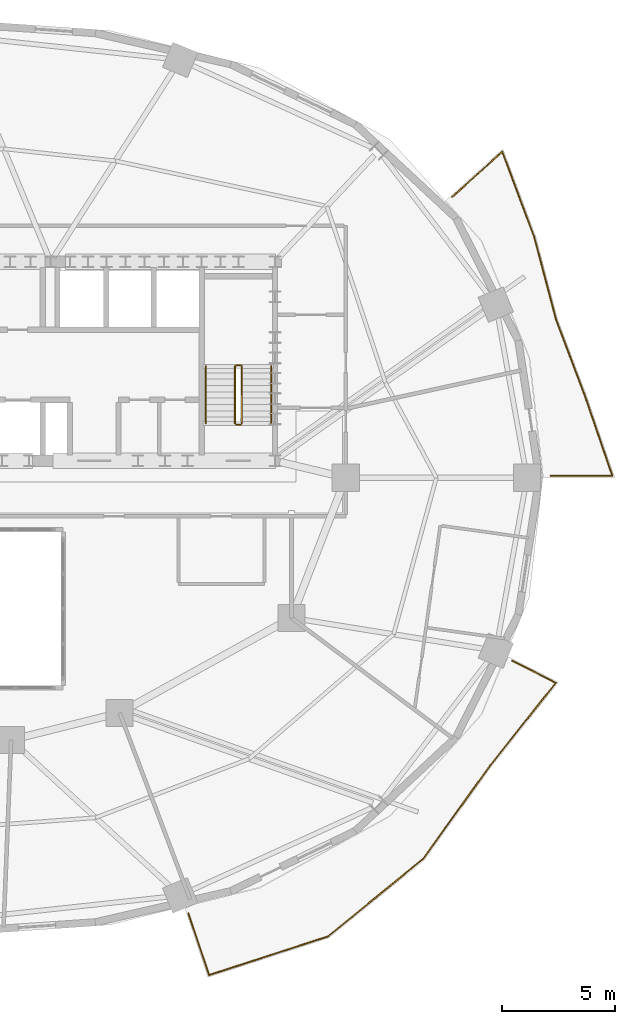
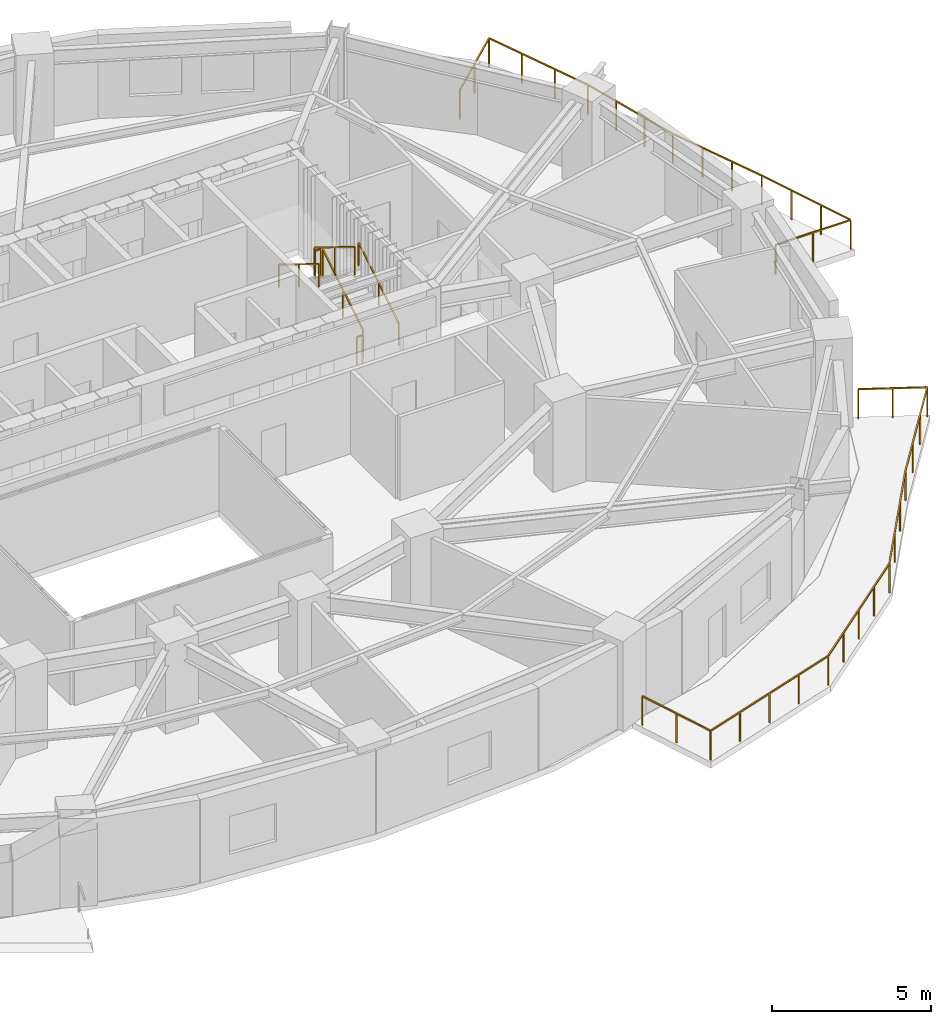
# One storey, part 12 of 12: 8 railings.
"""IFC4 building model written with IfcOpenShell, lengths in metres."""

from ifc_helpers import new_model, si_unit, direction, frame, origin, origin_2d, place, context, subcontext, project, spatial, rectangle, extrude, material, type_object, element, save


model = new_model("IFC4")

# Units and contexts
model_context = context("Model", 3, precision=1e-05, world=origin(), true_north=direction((0.0, 1.0)))
body_context = subcontext(model_context, "Body", "Model", "MODEL_VIEW")
ifc_project = project(units=[si_unit("LENGTHUNIT", "METRE"), si_unit("AREAUNIT", "SQUARE_METRE"), si_unit("VOLUMEUNIT", "CUBIC_METRE"), si_unit("PLANEANGLEUNIT", "RADIAN"), si_unit("MASSUNIT", "GRAM", prefix="KILO")], contexts=[model_context])

# Site, building, storey
site_placement = place(None, origin())
site = spatial("IfcSite", under=ifc_project, at=site_placement, CompositionType="ELEMENT")
building_placement = place(site_placement, origin())
building = spatial("IfcBuilding", under=site, at=building_placement, Name="Haldorwick Loom Tower", CompositionType="ELEMENT")
storey_placement = place(building_placement, frame((0.0, 0.0, 157.89990234375)))
storey = spatial("IfcBuildingStorey", under=building, at=storey_placement, Name="L42", CompositionType="ELEMENT", Elevation=157.89990234375)

# Railings
ifc_material_1 = material(Name="Galvanized Steel CSA G40.21 350W", Category="steel")
railing_type_1 = type_object("IfcRailingType", Name="ARC-RLG-BAL115", PredefinedType="BALUSTRADE", material=ifc_material_1)
railing_1_placement = place(storey_placement, frame((60.55322265625, 17.914306640625, 0.0)))
element("IfcRailing", 1, at=railing_1_placement, inside=storey, type_object=railing_type_1, Name="L42 Outdoor Terrace Guardrail SLB-L42-BAL_SE-1", PredefinedType="BALUSTRADE", context=body_context, shape_type="SweptSolid", body=[
    extrude(rectangle(XDim=0.048095703125, YDim=0.048095703125, at=origin_2d()), frame((0.0, 0.0, 1.1259765625), z_axis=(0.890002219109, -0.45595619305, 0.0), x_axis=(0.45595619305, 0.890002219109, 0.0)), (0.0, 0.0, 1.0), 2.1728515625),
    extrude(rectangle(XDim=0.048095703125, YDim=0.048095703125, at=origin_2d()), frame((1.933837890625, -0.99072265625, 1.1259765625), z_axis=(-0.621986182745, -0.783028216908, 0.0), x_axis=(0.783028216908, -0.621986182745, 0.0)), (0.0, 0.0, 1.0), 4.65576171875),
    extrude(rectangle(XDim=0.048095703125, YDim=0.048095703125, at=origin_2d()), frame((-0.9619140625, -4.63623046875, 1.1259765625), z_axis=(-0.60971076085, -0.792623989105, 0.0), x_axis=(0.792623989105, -0.60971076085, 0.0)), (0.0, 0.0, 1.0), 0.00390625),
    extrude(rectangle(XDim=0.048095703125, YDim=0.048095703125, at=origin_2d()), frame((-0.96435546875, -4.639404296875, 1.1259765625), z_axis=(-0.583373132525, -0.812204277413, 0.0), x_axis=(0.812204277413, -0.583373132525, 0.0)), (0.0, 0.0, 1.0), 5.090087890625),
    extrude(rectangle(XDim=0.048095703125, YDim=0.048095703125, at=origin_2d()), frame((-3.933837890625, -8.773681640625, 1.1259765625), z_axis=(-0.774794820107, -0.632212770145, 0.0), x_axis=(0.632212770145, -0.774794820107, 0.0)), (0.0, 0.0, 1.0), 5.424560546875),
    extrude(rectangle(XDim=0.048095703125, YDim=0.048095703125, at=origin_2d()), frame((-8.13671875, -12.203125, 1.1259765625), z_axis=(-0.951073621426, -0.308964345236, 0.0), x_axis=(0.308964345236, -0.951073621426, 0.0)), (0.0, 0.0, 1.0), 5.532958984375),
    extrude(rectangle(XDim=0.048095703125, YDim=0.048095703125, at=origin_2d()), frame((-13.39892578125, -13.91259765625, 1.1259765625), z_axis=(-0.316839129374, 0.948479291338, 0.0), x_axis=(-0.948479291338, -0.316839129374, 0.0)), (0.0, 0.0, 1.0), 2.875),
    extrude(rectangle(XDim=0.0419921875, YDim=0.0419921875, at=origin_2d()), origin(), (0.0, 0.0, 1.0), 1.101806640625),
    extrude(rectangle(XDim=0.0419921875, YDim=0.0419921875, at=origin_2d()), frame((0.966796875, -0.495361328125, 0.0)), (0.0, 0.0, 1.0), 1.101806640625),
    extrude(rectangle(XDim=0.0419921875, YDim=0.0419921875, at=origin_2d()), frame((1.933837890625, -0.99072265625, 0.0)), (0.0, 0.0, 1.0), 1.101806640625),
    extrude(rectangle(XDim=0.0419921875, YDim=0.0419921875, at=origin_2d()), frame((0.968505859375, -2.205810546875, 0.0)), (0.0, 0.0, 1.0), 1.101806640625),
    extrude(rectangle(XDim=0.0419921875, YDim=0.0419921875, at=origin_2d()), frame((0.00341796875, -3.421142578125, 0.0)), (0.0, 0.0, 1.0), 1.101806640625),
    extrude(rectangle(XDim=0.0419921875, YDim=0.0419921875, at=origin_2d()), frame((-0.9619140625, -4.63623046875, 0.0)), (0.0, 0.0, 1.0), 1.101806640625),
    extrude(rectangle(XDim=0.0419921875, YDim=0.0419921875, at=origin_2d()), frame((-1.9541015625, -6.017578125, 0.0)), (0.0, 0.0, 1.0), 1.101806640625),
    extrude(rectangle(XDim=0.0419921875, YDim=0.0419921875, at=origin_2d()), frame((-2.944091796875, -7.3955078125, 0.0)), (0.0, 0.0, 1.0), 1.101806640625),
    extrude(rectangle(XDim=0.0419921875, YDim=0.0419921875, at=origin_2d()), frame((-3.933837890625, -8.773681640625, 0.0)), (0.0, 0.0, 1.0), 1.101806640625),
    extrude(rectangle(XDim=0.0419921875, YDim=0.0419921875, at=origin_2d()), frame((-4.984619140625, -9.631103515625, 0.0)), (0.0, 0.0, 1.0), 1.101806640625),
    extrude(rectangle(XDim=0.0419921875, YDim=0.0419921875, at=origin_2d()), frame((-6.03515625, -10.48828125, 0.0)), (0.0, 0.0, 1.0), 1.101806640625),
    extrude(rectangle(XDim=0.0419921875, YDim=0.0419921875, at=origin_2d()), frame((-7.0859375, -11.345703125, 0.0)), (0.0, 0.0, 1.0), 1.101806640625),
    extrude(rectangle(XDim=0.0419921875, YDim=0.0419921875, at=origin_2d()), frame((-8.13671875, -12.203125, 0.0)), (0.0, 0.0, 1.0), 1.101806640625),
    extrude(rectangle(XDim=0.0419921875, YDim=0.0419921875, at=origin_2d()), frame((-9.4521484375, -12.63037109375, 0.0)), (0.0, 0.0, 1.0), 1.101806640625),
    extrude(rectangle(XDim=0.0419921875, YDim=0.0419921875, at=origin_2d()), frame((-10.767822265625, -13.057861328125, 0.0)), (0.0, 0.0, 1.0), 1.101806640625),
    extrude(rectangle(XDim=0.0419921875, YDim=0.0419921875, at=origin_2d()), frame((-12.08349609375, -13.4853515625, 0.0)), (0.0, 0.0, 1.0), 1.101806640625),
    extrude(rectangle(XDim=0.0419921875, YDim=0.0419921875, at=origin_2d()), frame((-13.39892578125, -13.91259765625, 0.0)), (0.0, 0.0, 1.0), 1.101806640625),
    extrude(rectangle(XDim=0.0419921875, YDim=0.0419921875, at=origin_2d()), frame((-13.8544921875, -12.54931640625, 0.0)), (0.0, 0.0, 1.0), 1.101806640625),
    extrude(rectangle(XDim=0.0419921875, YDim=0.0419921875, at=origin_2d()), frame((-14.309814453125, -11.185791015625, 0.0)), (0.0, 0.0, 1.0), 1.101806640625),
])
railing_2_placement = place(storey_placement, frame((57.91162109375, 38.41845703125, 0.0)))
element("IfcRailing", 2, at=railing_2_placement, inside=storey, type_object=railing_type_1, Name="L42 Outdoor Terrace Guardrail SLB-L42-BAL_ENE-1", PredefinedType="BALUSTRADE", context=body_context, shape_type="SweptSolid", body=[
    extrude(rectangle(XDim=0.048095703125, YDim=0.048095703125, at=origin_2d()), frame((0.0, 0.0, 1.1259765625), z_axis=(0.741694932885, 0.670737375232, 0.0), x_axis=(-0.670737375232, 0.741694932885, 0.0)), (0.0, 0.0, 1.0), 2.9794921875),
    extrude(rectangle(XDim=0.048095703125, YDim=0.048095703125, at=origin_2d()), frame((2.2099609375, 1.99853515625, 1.1259765625), z_axis=(0.350917888404, -0.93640623428, 0.0), x_axis=(0.93640623428, 0.350917888404, 0.0)), (0.0, 0.0, 1.0), 4.03515625),
    extrude(rectangle(XDim=0.048095703125, YDim=0.048095703125, at=origin_2d()), frame((3.6259765625, -1.780029296875, 1.1259765625), z_axis=(0.255651532223, -0.966768997265, 0.0), x_axis=(0.966768997265, 0.255651532223, 0.0)), (0.0, 0.0, 1.0), 3.786376953125),
    extrude(rectangle(XDim=0.048095703125, YDim=0.048095703125, at=origin_2d()), frame((4.593994140625, -5.440673828125, 1.1259765625), z_axis=(0.307002779923, -0.951708617761, 0.0), x_axis=(0.951708617761, 0.307002779923, 0.0)), (0.0, 0.0, 1.0), 0.008056640625),
    extrude(rectangle(XDim=0.048095703125, YDim=0.048095703125, at=origin_2d()), frame((4.596435546875, -5.4482421875, 1.1259765625), z_axis=(0.354053402924, -0.935225207037, 0.0), x_axis=(0.935225207037, 0.354053402924, 0.0)), (0.0, 0.0, 1.0), 3.614013671875),
    extrude(rectangle(XDim=0.048095703125, YDim=0.048095703125, at=origin_2d()), frame((5.8759765625, -8.828125, 1.1259765625), z_axis=(0.324877543995, -0.945756089807, 0.0), x_axis=(0.945756089807, 0.324877543995, 0.0)), (0.0, 0.0, 1.0), 3.711669921875),
    extrude(rectangle(XDim=0.048095703125, YDim=0.048095703125, at=origin_2d()), frame((7.081787109375, -12.33837890625, 1.1259765625), z_axis=(-1.0, 0.0, 0.0), x_axis=(0.0, -1.0, 0.0)), (0.0, 0.0, 1.0), 2.733154296875),
    extrude(rectangle(XDim=0.0419921875, YDim=0.0419921875, at=origin_2d()), origin(), (0.0, 0.0, 1.0), 1.101806640625),
    extrude(rectangle(XDim=0.0419921875, YDim=0.0419921875, at=origin_2d()), frame((1.10498046875, 0.999267578125, 0.0)), (0.0, 0.0, 1.0), 1.101806640625),
    extrude(rectangle(XDim=0.0419921875, YDim=0.0419921875, at=origin_2d()), frame((2.2099609375, 1.99853515625, 0.0)), (0.0, 0.0, 1.0), 1.101806640625),
    extrude(rectangle(XDim=0.0419921875, YDim=0.0419921875, at=origin_2d()), frame((2.681884765625, 0.739013671875, 0.0)), (0.0, 0.0, 1.0), 1.101806640625),
    extrude(rectangle(XDim=0.0419921875, YDim=0.0419921875, at=origin_2d()), frame((3.154052734375, -0.5205078125, 0.0)), (0.0, 0.0, 1.0), 1.101806640625),
    extrude(rectangle(XDim=0.0419921875, YDim=0.0419921875, at=origin_2d()), frame((3.6259765625, -1.780029296875, 0.0)), (0.0, 0.0, 1.0), 1.101806640625),
    extrude(rectangle(XDim=0.0419921875, YDim=0.0419921875, at=origin_2d()), frame((3.94873046875, -3.000244140625, 0.0)), (0.0, 0.0, 1.0), 1.101806640625),
    extrude(rectangle(XDim=0.0419921875, YDim=0.0419921875, at=origin_2d()), frame((4.271240234375, -4.220458984375, 0.0)), (0.0, 0.0, 1.0), 1.101806640625),
    extrude(rectangle(XDim=0.0419921875, YDim=0.0419921875, at=origin_2d()), frame((4.593994140625, -5.440673828125, 0.0)), (0.0, 0.0, 1.0), 1.101806640625),
    extrude(rectangle(XDim=0.0419921875, YDim=0.0419921875, at=origin_2d()), frame((5.02294921875, -6.574951171875, 0.0)), (0.0, 0.0, 1.0), 1.101806640625),
    extrude(rectangle(XDim=0.0419921875, YDim=0.0419921875, at=origin_2d()), frame((5.449462890625, -7.701416015625, 0.0)), (0.0, 0.0, 1.0), 1.101806640625),
    extrude(rectangle(XDim=0.0419921875, YDim=0.0419921875, at=origin_2d()), frame((5.8759765625, -8.828125, 0.0)), (0.0, 0.0, 1.0), 1.101806640625),
    extrude(rectangle(XDim=0.0419921875, YDim=0.0419921875, at=origin_2d()), frame((6.27783203125, -9.998291015625, 0.0)), (0.0, 0.0, 1.0), 1.101806640625),
    extrude(rectangle(XDim=0.0419921875, YDim=0.0419921875, at=origin_2d()), frame((6.679931640625, -11.168212890625, 0.0)), (0.0, 0.0, 1.0), 1.101806640625),
    extrude(rectangle(XDim=0.0419921875, YDim=0.0419921875, at=origin_2d()), frame((7.081787109375, -12.33837890625, 0.0)), (0.0, 0.0, 1.0), 1.101806640625),
    extrude(rectangle(XDim=0.0419921875, YDim=0.0419921875, at=origin_2d()), frame((5.71533203125, -12.33837890625, 0.0)), (0.0, 0.0, 1.0), 1.101806640625),
    extrude(rectangle(XDim=0.0419921875, YDim=0.0419921875, at=origin_2d()), frame((4.3486328125, -12.33837890625, 0.0)), (0.0, 0.0, 1.0), 1.101806640625),
])
ifc_material_2 = material(Name="Steel CSA G40.21 350W", Category="steel")
railing_type_2 = type_object("IfcRailingType", Name="ARC-RLG-GUARD112", PredefinedType="GUARDRAIL", material=ifc_material_2)
railing_3_placement = place(storey_placement, frame((48.60009765625, 28.39990234375, 0.172607421875)))
element("IfcRailing", 3, at=railing_3_placement, inside=storey, type_object=railing_type_2, Name="L42 ST-02 stair guard 1", PredefinedType="GUARDRAIL", context=body_context, shape_type="SweptSolid", body=[
    extrude(rectangle(XDim=0.048095703125, YDim=0.048095703125, at=origin_2d()), frame((0.0, 0.0, 1.076171875), z_axis=(0.0, 0.851400495292, 0.524516154772), x_axis=(-1.0, 0.0, 0.0)), (0.0, 0.0, 1.0), 2.9599609375),
    extrude(rectangle(XDim=0.0419921875, YDim=0.0419921875, at=origin_2d()), origin(), (0.0, 0.0, 1.0), 1.052001953125),
    extrude(rectangle(XDim=0.0419921875, YDim=0.0419921875, at=origin_2d()), frame((0.0, 1.260009765625, 0.7763671875)), (0.0, 0.0, 1.0), 1.052001953125),
    extrude(rectangle(XDim=0.0419921875, YDim=0.0419921875, at=origin_2d()), frame((0.0, 2.52001953125, 1.552490234375)), (0.0, 0.0, 1.0), 1.052001953125),
])
railing_4_placement = place(storey_placement, frame((48.550048828125, 30.969970703125, 1.72509765625)))
element("IfcRailing", 4, at=railing_4_placement, inside=storey, type_object=railing_type_2, Name="L42 ST-02 stair guard 2", PredefinedType="GUARDRAIL", context=body_context, shape_type="SweptSolid", body=[
    extrude(rectangle(XDim=0.048095703125, YDim=0.048095703125, at=origin_2d()), frame((0.0, 0.0, 1.076171875), z_axis=(-1.0, 0.0, 0.0), x_axis=(0.0, -1.0, 0.0)), (0.0, 0.0, 1.0), 0.199951171875),
    extrude(rectangle(XDim=0.0419921875, YDim=0.0419921875, at=origin_2d()), origin(), (0.0, 0.0, 1.0), 1.052001953125),
    extrude(rectangle(XDim=0.0419921875, YDim=0.0419921875, at=origin_2d()), frame((-0.199951171875, 0.0, 0.0)), (0.0, 0.0, 1.0), 1.052001953125),
])
railing_5_placement = place(storey_placement, frame((48.300048828125, 30.919921875, 1.897705078125)))
element("IfcRailing", 5, at=railing_5_placement, inside=storey, type_object=railing_type_2, Name="L42 ST-02 stair guard 3", PredefinedType="GUARDRAIL", context=body_context, shape_type="SweptSolid", body=[
    extrude(rectangle(XDim=0.048095703125, YDim=0.048095703125, at=origin_2d()), frame((0.0, 0.0, 1.076171875), z_axis=(0.0, -0.851400495292, 0.524516154772), x_axis=(1.0, 0.0, 0.0)), (0.0, 0.0, 1.0), 2.9599609375),
    extrude(rectangle(XDim=0.0419921875, YDim=0.0419921875, at=origin_2d()), origin(), (0.0, 0.0, 1.0), 1.052001953125),
    extrude(rectangle(XDim=0.0419921875, YDim=0.0419921875, at=origin_2d()), frame((0.0, -1.260009765625, 0.7763671875)), (0.0, 0.0, 1.0), 1.052001953125),
    extrude(rectangle(XDim=0.0419921875, YDim=0.0419921875, at=origin_2d()), frame((0.0, -2.52001953125, 1.552490234375)), (0.0, 0.0, 1.0), 1.052001953125),
])
railing_6_placement = place(storey_placement, frame((48.550048828125, 28.35009765625, 0.0)))
element("IfcRailing", 6, at=railing_6_placement, inside=storey, type_object=railing_type_2, Name="L42 ST-02 stair guard 4", PredefinedType="GUARDRAIL", context=body_context, shape_type="SweptSolid", body=[
    extrude(rectangle(XDim=0.048095703125, YDim=0.048095703125, at=origin_2d()), frame((0.0, 0.0, 1.076171875), z_axis=(-1.0, 0.0, 0.0), x_axis=(0.0, -1.0, 0.0)), (0.0, 0.0, 1.0), 0.199951171875),
    extrude(rectangle(XDim=0.0419921875, YDim=0.0419921875, at=origin_2d()), origin(), (0.0, 0.0, 1.0), 1.052001953125),
    extrude(rectangle(XDim=0.0419921875, YDim=0.0419921875, at=origin_2d()), frame((-0.199951171875, 0.0, 0.0)), (0.0, 0.0, 1.0), 1.052001953125),
])
railing_type_3 = type_object("IfcRailingType", Name="ARC-RLG-HAND092", PredefinedType="HANDRAIL", material=ifc_material_2)
railing_7_placement = place(storey_placement, frame((49.89990234375, 28.39990234375, 0.172607421875)))
element("IfcRailing", 7, at=railing_7_placement, inside=storey, type_object=railing_type_3, Name="L42 ST-02 stair handrail 1", PredefinedType="HANDRAIL", context=body_context, shape_type="SweptSolid", body=[
    extrude(rectangle(XDim=0.048095703125, YDim=0.048095703125, at=origin_2d()), frame((0.0, 0.0, 0.8759765625), z_axis=(0.0, 0.851400495292, 0.524516154772), x_axis=(-1.0, 0.0, 0.0)), (0.0, 0.0, 1.0), 2.9599609375),
    extrude(rectangle(XDim=0.0419921875, YDim=0.0419921875, at=origin_2d()), origin(), (0.0, 0.0, 1.0), 0.851806640625),
    extrude(rectangle(XDim=0.0419921875, YDim=0.0419921875, at=origin_2d()), frame((0.0, 1.260009765625, 0.7763671875)), (0.0, 0.0, 1.0), 0.851806640625),
    extrude(rectangle(XDim=0.0419921875, YDim=0.0419921875, at=origin_2d()), frame((0.0, 2.52001953125, 1.552490234375)), (0.0, 0.0, 1.0), 0.851806640625),
])
railing_8_placement = place(storey_placement, frame((47.0, 30.919921875, 1.897705078125)))
element("IfcRailing", 8, at=railing_8_placement, inside=storey, type_object=railing_type_3, Name="L42 ST-02 stair handrail 2", PredefinedType="HANDRAIL", context=body_context, shape_type="SweptSolid", body=[
    extrude(rectangle(XDim=0.048095703125, YDim=0.048095703125, at=origin_2d()), frame((0.0, 0.0, 0.8759765625), z_axis=(0.0, -0.851400495292, 0.524516154772), x_axis=(1.0, 0.0, 0.0)), (0.0, 0.0, 1.0), 2.9599609375),
    extrude(rectangle(XDim=0.0419921875, YDim=0.0419921875, at=origin_2d()), origin(), (0.0, 0.0, 1.0), 0.851806640625),
    extrude(rectangle(XDim=0.0419921875, YDim=0.0419921875, at=origin_2d()), frame((0.0, -1.260009765625, 0.7763671875)), (0.0, 0.0, 1.0), 0.851806640625),
    extrude(rectangle(XDim=0.0419921875, YDim=0.0419921875, at=origin_2d()), frame((0.0, -2.52001953125, 1.552490234375)), (0.0, 0.0, 1.0), 0.851806640625),
])

save(model, "model.ifc")
